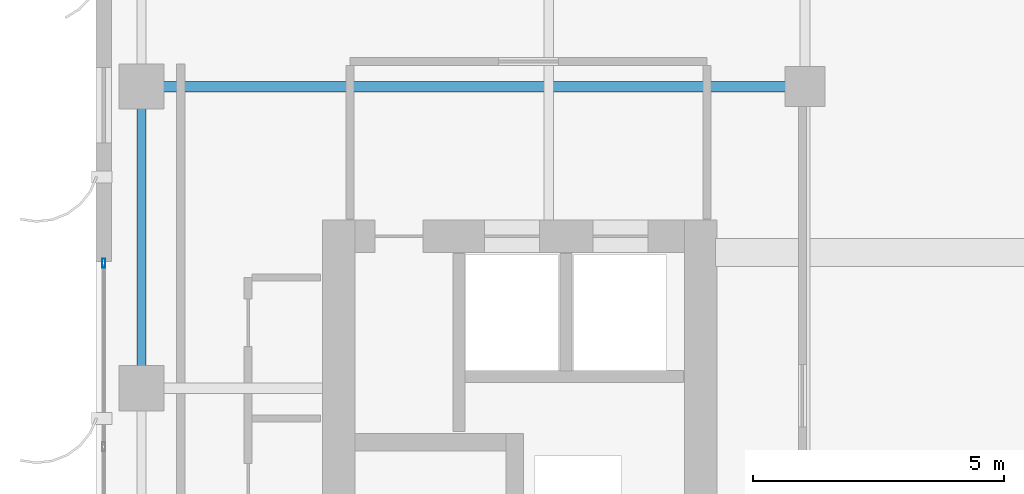
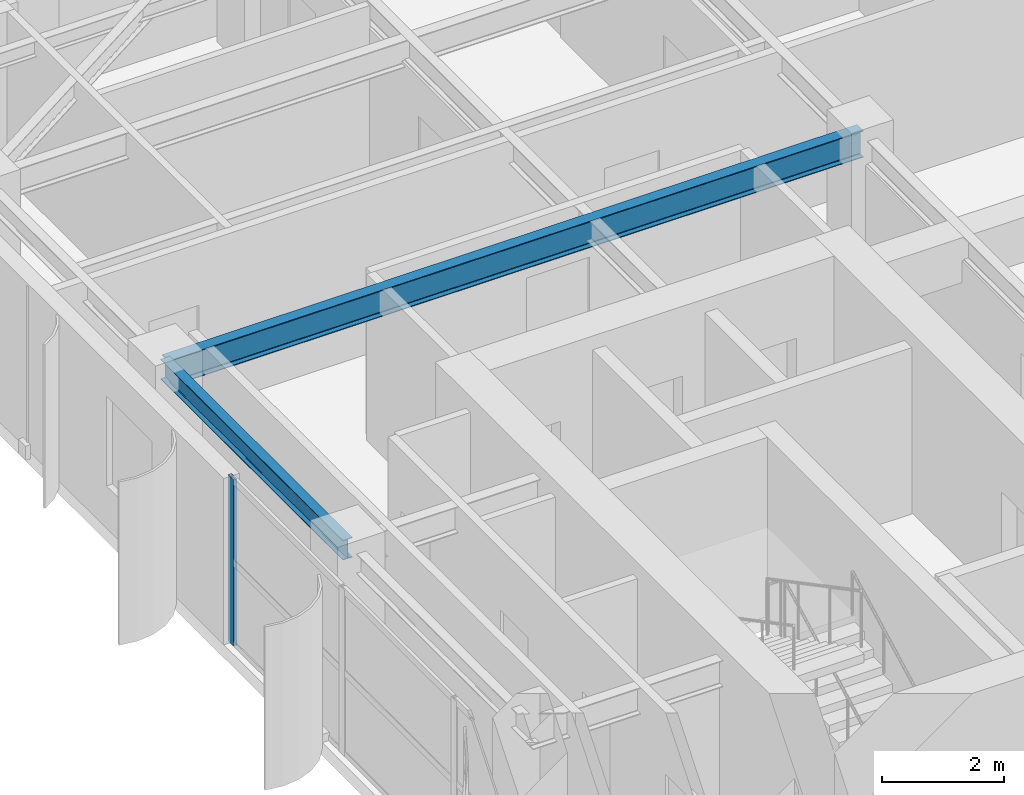
# One storey, part 6 of 22: 2 beams, 1 member, 1 element without a shape of its own.
"""IFC4 building model written with IfcOpenShell, lengths in metres."""

from ifc_helpers import new_model, si_unit, direction, frame, origin, origin_2d, place, context, subcontext, project, spatial, hollow_rectangle, i_section, extrude, source, transform, mapped, material, layer, layer_set, material_profile, profile_set, type_object, element, aggregate, save


model = new_model("IFC4")

# Units and contexts
model_context = context("Model", 3, precision=1e-05, world=origin(), true_north=direction((0.0, 1.0)))
body_context = subcontext(model_context, "Body", "Model", "MODEL_VIEW")
ifc_project = project(units=[si_unit("LENGTHUNIT", "METRE"), si_unit("AREAUNIT", "SQUARE_METRE"), si_unit("VOLUMEUNIT", "CUBIC_METRE"), si_unit("PLANEANGLEUNIT", "RADIAN"), si_unit("MASSUNIT", "GRAM", prefix="KILO")], contexts=[model_context])

# Site, building, storey
site_placement = place(None, origin())
site = spatial("IfcSite", under=ifc_project, at=site_placement, CompositionType="ELEMENT")
building_placement = place(site_placement, origin())
building = spatial("IfcBuilding", under=site, at=building_placement, Name="Khoralis Quay Care Tower", CompositionType="ELEMENT")
storey_placement = place(building_placement, frame((0.0, 0.0, 180.89990234375)))
storey = spatial("IfcBuildingStorey", under=building, at=storey_placement, Name="L47", CompositionType="ELEMENT", Elevation=180.89990234375)

# Beams
ifc_material_1 = material(Name="Steel S355", Category="steel")
ifc_material_profile_1 = material_profile(ifc_material_1, i_section(OverallWidth=0.179931640625, OverallDepth=0.39990234375, WebThickness=0.008544921875, FlangeThickness=0.013427734375, FilletRadius=0.02099609375, at=origin_2d()), Name="Steel S355")
ifc_profile_set_1 = profile_set([ifc_material_profile_1], Name="Steel S355")
beam_type_1 = type_object("IfcBeamType", Name="BM-IPE400", PredefinedType="SPANDREL", material=ifc_profile_set_1)
shared_shape_1 = source(origin(), body_context, "Body", "SweptSolid", [
    extrude(i_section(OverallWidth=0.179931640625, OverallDepth=0.39990234375, WebThickness=0.008544921875, FlangeThickness=0.013427734375, FilletRadius=0.02099609375, at=origin_2d()), origin(), (0.0, 0.0, 1.0), 6.0),
])
beam_1_placement = place(storey_placement, frame((3.89990234375, 24.0, 3.14013671875), z_axis=(0.0, 1.0, 0.0), x_axis=(-1.0, 0.0, 0.0)))
element("IfcBeam", 1, at=beam_1_placement, inside=storey, type_object=beam_type_1, Name="BM-TSP-L47-12", PredefinedType="SPANDREL", context=body_context, shape_type="MappedRepresentation", body=[
    mapped(shared_shape_1, transform((0.0, 0.0, 0.0), scale=1.0)),
])
ifc_material_profile_2 = material_profile(ifc_material_1, i_section(OverallWidth=0.208984375, OverallDepth=0.532958984375, WebThickness=0.01025390625, FlangeThickness=0.015625, FilletRadius=0.01611328125, at=origin_2d()), Name="Steel S355")
ifc_profile_set_2 = profile_set([ifc_material_profile_2], Name="Steel S355")
beam_type_2 = type_object("IfcBeamType", Name="BM-W530X92", PredefinedType="BEAM", material=ifc_profile_set_2)
shared_shape_2 = source(origin(), body_context, "Body", "SweptSolid", [
    extrude(i_section(OverallWidth=0.208984375, OverallDepth=0.532958984375, WebThickness=0.01025390625, FlangeThickness=0.015625, FilletRadius=0.01611328125, at=origin_2d()), origin(), (0.0, 0.0, 1.0), 13.2001953125),
])
beam_2_placement = place(storey_placement, frame((3.89990234375, 30.0, 3.073486328125), z_axis=(1.0, 0.0, 0.0), x_axis=(0.0, 1.0, 0.0)))
element("IfcBeam", 2, at=beam_2_placement, inside=storey, type_object=beam_type_2, Name="BM-TGXW-L47-300", PredefinedType="BEAM", context=body_context, shape_type="MappedRepresentation", body=[
    mapped(shared_shape_2, transform((0.0, 0.0, 0.0), scale=1.0)),
])

# Curtain wall, member
ifc_material_2 = material(Name="Pale anodised aluminium", Category="aluminium")
ifc_layer = layer(ifc_material_2, 0.159912109375)
ifc_layer_set = layer_set([ifc_layer], Name="Pale anodised aluminium")
curtain_wall_type = type_object("IfcCurtainWallType", Name="CW-SYS-Z3", PredefinedType="NOTDEFINED", material=ifc_layer_set)
curtain_wall_placement = place(storey_placement, origin())
curtain_wall = element("IfcCurtainWall", 3, at=curtain_wall_placement, inside=storey, type_object=curtain_wall_type, Name="L47 Unitised Curtain Wall CW-L47-P1-E15", PredefinedType="NOTDEFINED")
ifc_material_profile_3 = material_profile(ifc_material_2, hollow_rectangle(XDim=0.06494140625, YDim=0.179931640625, WallThickness=0.00390625, at=origin_2d()), Name="Pale anodised aluminium")
ifc_profile_set_3 = profile_set([ifc_material_profile_3], Name="Pale anodised aluminium")
member_type = type_object("IfcMemberType", Name="CW-MUL-180", PredefinedType="MULLION", material=ifc_profile_set_3)
shared_shape_3 = source(origin(), body_context, "Body", "SweptSolid", [
    extrude(hollow_rectangle(XDim=0.06494140625, YDim=0.179931640625, WallThickness=0.00390625, at=origin_2d()), origin(), (0.0, 0.0, 1.0), 3.340087890625),
])
member_placement = place(storey_placement, frame((3.14990234375, 26.489990234375, 0.0), z_axis=(0.0, 0.0, 1.0), x_axis=(1.0, 0.0, 0.0)))
member = element("IfcMember", 4, at=member_placement, type_object=member_type, Name="CW3 mullion 1", PredefinedType="MULLION", context=body_context, shape_type="MappedRepresentation", body=[
    mapped(shared_shape_3, transform((0.0, 0.0, 0.0), scale=1.0)),
])
aggregate(curtain_wall, [member])

save(model, "model.ifc")
